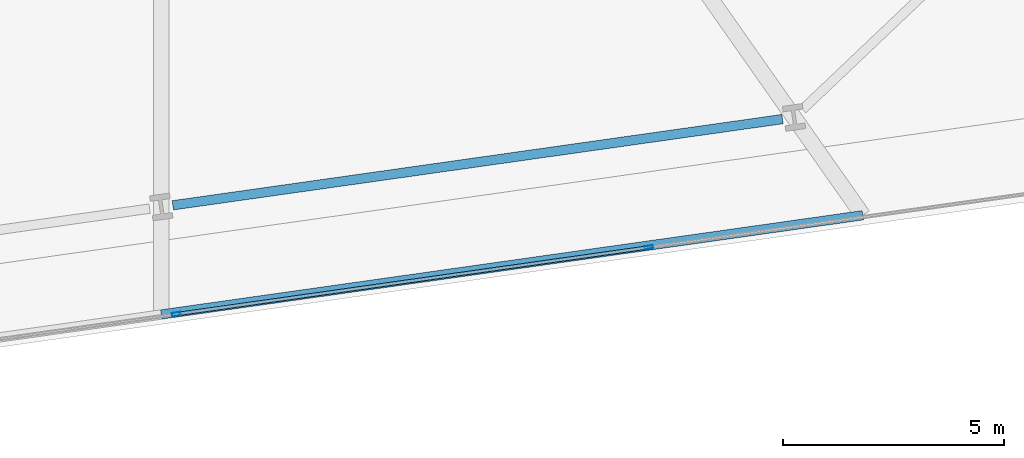
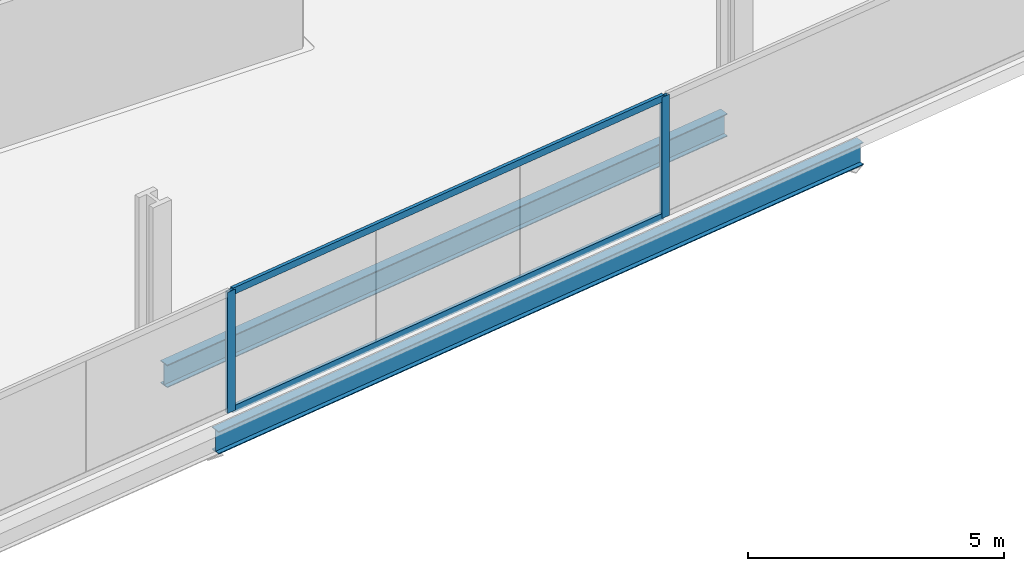
# One storey, part 9 of 33: 4 members, 2 beams, 1 element without a shape of its own.
"""IFC4 building model written with IfcOpenShell, lengths in metres."""

from ifc_helpers import new_model, si_unit, direction, frame, origin, origin_2d, place, context, subcontext, project, spatial, hollow_rectangle, i_section, extrude, material, material_profile, profile_set, type_object, element, aggregate, save


model = new_model("IFC4")

# Units and contexts
model_context = context("Model", 3, precision=1e-05, world=origin(), true_north=direction((0.0, 1.0)))
body_context = subcontext(model_context, "Body", "Model", "MODEL_VIEW")
ifc_project = project(units=[si_unit("LENGTHUNIT", "METRE"), si_unit("AREAUNIT", "SQUARE_METRE"), si_unit("VOLUMEUNIT", "CUBIC_METRE"), si_unit("PLANEANGLEUNIT", "RADIAN"), si_unit("MASSUNIT", "GRAM", prefix="KILO")], contexts=[model_context])

# Site, building, storey
site_placement = place(None, origin())
site = spatial("IfcSite", under=ifc_project, at=site_placement, CompositionType="ELEMENT")
building_placement = place(site_placement, origin())
building = spatial("IfcBuilding", under=site, at=building_placement, Name="Haldenkirk Collegiate Tower", CompositionType="ELEMENT")
storey_placement = place(building_placement, frame((0.0, 0.0, 55.199951171875)))
storey = spatial("IfcBuildingStorey", under=building, at=storey_placement, Name="L12", CompositionType="ELEMENT", Elevation=55.199951171875)

# Beams
ifc_material_1 = material(Name="Steel ASTM A992 Grade 50", Category="steel")
ifc_material_profile_1 = material_profile(ifc_material_1, i_section(OverallWidth=0.2119140625, OverallDepth=0.5439453125, WebThickness=0.01318359375, FlangeThickness=0.021240234375, at=origin_2d()), Name="W21X83")
ifc_profile_set_1 = profile_set([ifc_material_profile_1], Name="Steel ASTM A992 Grade 50")
beam_type = type_object("IfcBeamType", Name="BM-SPANDREL-W21X83", PredefinedType="SPANDREL", material=ifc_profile_set_1)
beam_1_placement = place(storey_placement, frame((39.37060546875, 4.055908203125, -0.58203125), z_axis=(0.990146197746, 0.14003752029, 0.0), x_axis=(-0.14003752029, 0.990146197746, 0.0)))
element("IfcBeam", 1, at=beam_1_placement, inside=storey, type_object=beam_type, Name="L12 perimeter spandrel beam 03", PredefinedType="SPANDREL", context=body_context, shape_type="SweptSolid", body=[
    extrude(i_section(OverallWidth=0.2119140625, OverallDepth=0.5439453125, WebThickness=0.01318359375, FlangeThickness=0.021240234375, at=origin_2d()), origin(), (0.0, 0.0, 1.0), 13.906982421875),
])
beam_2_placement = place(storey_placement, frame((39.10888671875, 1.58984375, -0.58203125), z_axis=(0.990145328587, 0.14004366561, 0.0), x_axis=(-0.14004366561, 0.990145328587, 0.0)))
element("IfcBeam", 2, at=beam_2_placement, inside=storey, type_object=beam_type, Name="L12 outer facade edge beam 1B", PredefinedType="SPANDREL", context=body_context, shape_type="SweptSolid", body=[
    extrude(i_section(OverallWidth=0.2119140625, OverallDepth=0.5439453125, WebThickness=0.01318359375, FlangeThickness=0.021240234375, at=origin_2d()), origin(), (0.0, 0.0, 1.0), 16.003662109375),
])

# Curtain wall, members
ifc_material_2 = material(Name="Anodised architectural bronze aluminium", Category="aluminium")
curtain_wall_type = type_object("IfcCurtainWallType", Name="CW-SYS2-CONCAVE", PredefinedType="USERDEFINED", material=ifc_material_2)
curtain_wall_placement = place(storey_placement, origin())
curtain_wall = element("IfcCurtainWall", 3, at=curtain_wall_placement, inside=storey, type_object=curtain_wall_type, Name="L12 South concave recessed bronze-anodised curtain wall", ObjectType="UNITISED CURTAIN WALL", PredefinedType="USERDEFINED")
ifc_material_profile_2 = material_profile(ifc_material_2, hollow_rectangle(XDim=0.074951171875, YDim=0.18994140625, WallThickness=0.0048828125, at=origin_2d()), Name="CW-MUL-02")
ifc_profile_set_2 = profile_set([ifc_material_profile_2], Name="Anodised architectural bronze aluminium")
member_type_1 = type_object("IfcMemberType", Name="CW-MUL-02", PredefinedType="MULLION", material=ifc_profile_set_2)
member_1_placement = place(storey_placement, frame((50.1201171875, 3.106689453125, 0.0), z_axis=(0.0, 0.0, 1.0), x_axis=(0.140039087345, -0.990145976114, 0.0)))
member_1 = element("IfcMember", 4, at=member_1_placement, type_object=member_type_1, Name="CW-02 mullion 2", PredefinedType="MULLION", context=body_context, shape_type="SweptSolid", body=[
    extrude(hollow_rectangle(XDim=0.074951171875, YDim=0.18994140625, WallThickness=0.0048828125, at=origin_2d()), origin(), (0.0, 0.0, 1.0), 2.89111328125),
])
member_2_placement = place(storey_placement, frame((39.451171875, 1.597900390625, 0.0), z_axis=(0.0, 0.0, 1.0), x_axis=(0.140039087345, -0.990145976114, 0.0)))
member_2 = element("IfcMember", 5, at=member_2_placement, type_object=member_type_1, Name="CW-02 mullion 3", PredefinedType="MULLION", context=body_context, shape_type="SweptSolid", body=[
    extrude(hollow_rectangle(XDim=0.074951171875, YDim=0.18994140625, WallThickness=0.0048828125, at=origin_2d()), origin(), (0.0, 0.0, 1.0), 2.89111328125),
])
ifc_material_profile_3 = material_profile(ifc_material_2, hollow_rectangle(XDim=0.074951171875, YDim=0.159912109375, WallThickness=0.0048828125, at=origin_2d()), Name="CW-TRN-02")
ifc_profile_set_3 = profile_set([ifc_material_profile_3], Name="Anodised architectural bronze aluminium")
member_type_2 = type_object("IfcMemberType", Name="CW-TRN-02", PredefinedType="USERDEFINED", material=ifc_profile_set_3)
member_3_placement = place(storey_placement, frame((50.0830078125, 3.1015625, 0.03759765625), z_axis=(-0.990144762645, -0.140047666907, 0.0), x_axis=(0.140047666907, -0.990144762645, 0.0)))
member_3 = element("IfcMember", 6, at=member_3_placement, type_object=member_type_2, Name="CW-02 transom 2.1", ObjectType="TRANSOM", PredefinedType="USERDEFINED", context=body_context, shape_type="SweptSolid", body=[
    extrude(hollow_rectangle(XDim=0.074951171875, YDim=0.159912109375, WallThickness=0.0048828125, at=origin_2d()), origin(), (0.0, 0.0, 1.0), 10.7001953125),
])
member_4_placement = place(storey_placement, frame((50.0830078125, 3.1015625, 2.853515625), z_axis=(-0.990144762645, -0.140047666907, 0.0), x_axis=(0.140047666907, -0.990144762645, 0.0)))
member_4 = element("IfcMember", 7, at=member_4_placement, type_object=member_type_2, Name="CW-02 transom 2.2", ObjectType="TRANSOM", PredefinedType="USERDEFINED", context=body_context, shape_type="SweptSolid", body=[
    extrude(hollow_rectangle(XDim=0.074951171875, YDim=0.159912109375, WallThickness=0.0048828125, at=origin_2d()), origin(), (0.0, 0.0, 1.0), 10.7001953125),
])
aggregate(curtain_wall, [member_1, member_2, member_3, member_4])

save(model, "model.ifc")
